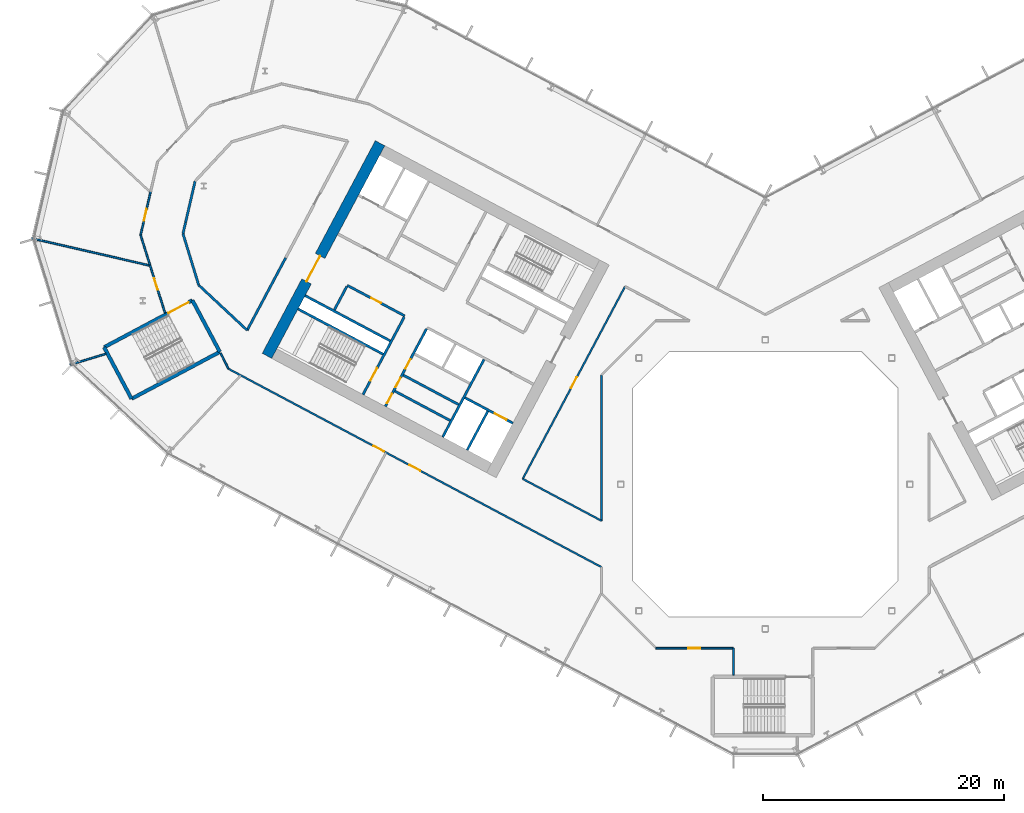
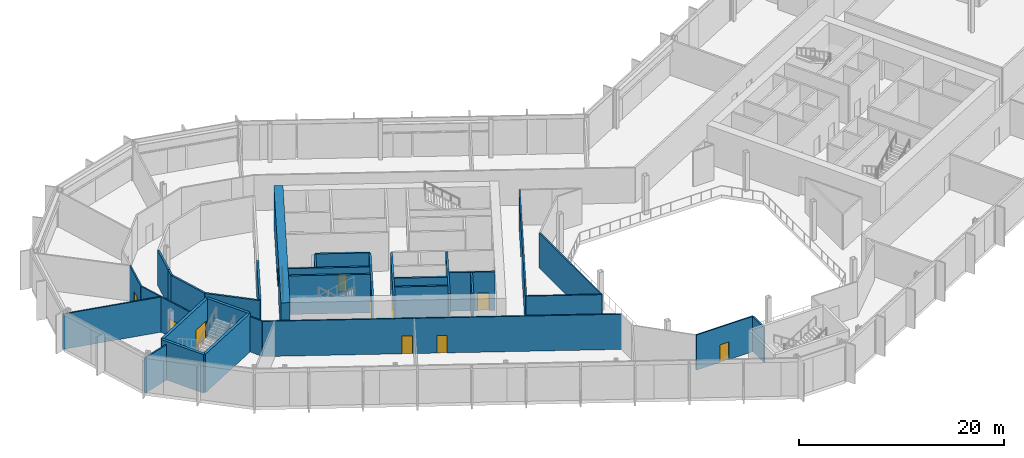
# One storey, part 14 of 30: 33 walls, 14 doors, 14 openings.
"""IFC4 building model written with IfcOpenShell, lengths in metres."""

from ifc_helpers import new_model, si_unit, direction, frame, frame_2d, origin, place, context, subcontext, project, spatial, rectangle, extrude, material, layer, layer_set, type_object, element, fill, save


model = new_model("IFC4")

# Units and contexts
model_context = context("Model", 3, precision=1e-05, world=origin(), true_north=direction((0.0, 1.0)))
body_context = subcontext(model_context, "Body", "Model", "MODEL_VIEW")
ifc_project = project(units=[si_unit("LENGTHUNIT", "METRE"), si_unit("AREAUNIT", "SQUARE_METRE"), si_unit("VOLUMEUNIT", "CUBIC_METRE"), si_unit("PLANEANGLEUNIT", "RADIAN"), si_unit("MASSUNIT", "GRAM", prefix="KILO")], contexts=[model_context])

# Site, building, storey
site_placement = place(None, origin())
site = spatial("IfcSite", under=ifc_project, at=site_placement, CompositionType="ELEMENT")
building_placement = place(site_placement, origin())
building = spatial("IfcBuilding", under=site, at=building_placement, Name="Cormorant Relay Tower", CompositionType="ELEMENT")
storey_placement = place(building_placement, frame((0.0, 0.0, 89.199951171875)))
storey = spatial("IfcBuildingStorey", under=building, at=storey_placement, Name="L17", CompositionType="ELEMENT", Elevation=89.199951171875)

# Walls
ifc_material_1 = material(Name="Concrete 40 MPa", Category="concrete")
ifc_layer_1 = layer(ifc_material_1, 0.199951171875)
ifc_layer_set_1 = layer_set([ifc_layer_1], Name="Core internal wall 200")
wall_type_1 = type_object("IfcWallType", Name="Core internal wall 200", PredefinedType="SOLIDWALL", material=ifc_layer_set_1)
for number, where, z_axis, x_axis, name in (
    (1, (-25.46728515625, 6.632568359375, 0.0), (0.0, 0.0, 1.0), (-0.882953967957, 0.469459572775, 0.0), "L17 core A shaft and room wall"),
    (2, (-26.17138671875, 5.30810546875, 0.0), (0.0, 0.0, 1.0), (-0.882953967957, 0.469459572775, 0.0), "L17 core A shaft and room wall"),
):
    element("IfcWall", number, at=place(storey_placement, frame(where, z_axis=z_axis, x_axis=x_axis)), inside=storey, type_object=wall_type_1, Name=name, PredefinedType="SOLIDWALL", context=body_context, shape_type="SweptSolid", body=[
        extrude(rectangle(XDim=5.199951171875, YDim=0.199951171875, at=frame_2d((2.60009765625, 0.0))), origin(), (0.0, 0.0, 1.0), 4.60009765625),
    ])
ifc_material_2 = material(Name="Concrete 50 MPa", Category="concrete")
ifc_layer_2 = layer(ifc_material_2, 0.199951171875)
ifc_layer_set_2 = layer_set([ifc_layer_2], Name="Core shaft wall 200")
wall_type_2 = type_object("IfcWallType", Name="Core shaft wall 200", PredefinedType="SHEAR", material=ifc_layer_set_2)
wall_1_placement = place(storey_placement, frame((-23.04296875, 6.07958984375, 0.0), z_axis=(0.0, 0.0, 1.0), x_axis=(-0.469494272526, -0.882935517501, 0.0)))
element("IfcWall", 3, at=wall_1_placement, inside=storey, type_object=wall_type_2, Name="L17 core A shaft wall", PredefinedType="SHEAR", context=body_context, shape_type="SweptSolid", body=[
    extrude(rectangle(XDim=3.64990234375, YDim=0.199951171875, at=frame_2d((1.824951171875, 0.0))), origin(), (0.0, 0.0, 1.0), 4.60009765625),
])
wall_2_placement = place(storey_placement, frame((-23.360107421875, 10.38232421875, 0.0), z_axis=(0.0, 0.0, 1.0), x_axis=(-0.469480409012, -0.88294288918, 0.0)))
element("IfcWall", 4, at=wall_2_placement, inside=storey, type_object=wall_type_2, Name="L17 core A shaft wall", PredefinedType="SHEAR", context=body_context, shape_type="SweptSolid", body=[
    extrude(rectangle(XDim=7.300048828125, YDim=0.199951171875, at=frame_2d((3.64990234375, 0.0))), origin(), (0.0, 0.0, 1.0), 4.60009765625),
])

# Wall, openings, doors
wall_3_placement = place(storey_placement, frame((-28.128173828125, 12.91748046875, 0.0), z_axis=(0.0, 0.0, 1.0), x_axis=(-0.469454336211, -0.882956752176, 0.0)))
wall_3 = element("IfcWall", 5, at=wall_3_placement, inside=storey, type_object=wall_type_2, Name="L17 core A shaft wall", PredefinedType="SHEAR", context=body_context, shape_type="SweptSolid", body=[
    extrude(rectangle(XDim=7.300048828125, YDim=0.199951171875, at=frame_2d((3.64990234375, 0.0))), origin(), (0.0, 0.0, 1.0), 4.60009765625),
])
opening_1_placement = place(wall_3_placement, frame((2.85009765625, 0.0, 0.0)))
opening_1 = element("IfcOpeningElement", 6, at=opening_1_placement, cuts=wall_3, Name="Opening CDD-129", PredefinedType="OPENING", context=body_context, shape_type="SweptSolid", body=[
    extrude(rectangle(XDim=0.89990234375, YDim=2.10009765625, at=frame_2d((0.449951171875, 1.050048828125))), frame((0.0, 0.10986328125, 0.0), z_axis=(0.0, -1.0, 0.0), x_axis=(1.0, 0.0, 0.0)), (0.0, 0.0, 1.0), 0.219970703125),
])
opening_2_placement = place(wall_3_placement, frame((4.60009765625, 0.0, 0.0)))
opening_2 = element("IfcOpeningElement", 7, at=opening_2_placement, cuts=wall_3, Name="Opening CDD-130", PredefinedType="OPENING", context=body_context, shape_type="SweptSolid", body=[
    extrude(rectangle(XDim=0.89990234375, YDim=2.10009765625, at=frame_2d((0.449951171875, 1.050048828125))), frame((0.0, 0.10986328125, 0.0), z_axis=(0.0, -1.0, 0.0), x_axis=(1.0, 0.0, 0.0)), (0.0, 0.0, 1.0), 0.219970703125),
])
opening_3_placement = place(wall_3_placement, frame((6.10009765625, 0.0, 0.0)))
opening_3 = element("IfcOpeningElement", 8, at=opening_3_placement, cuts=wall_3, Name="Opening CDD-131", PredefinedType="OPENING", context=body_context, shape_type="SweptSolid", body=[
    extrude(rectangle(XDim=0.89990234375, YDim=2.10009765625, at=frame_2d((0.449951171875, 1.050048828125))), frame((0.0, 0.10986328125, 0.0), z_axis=(0.0, -1.0, 0.0), x_axis=(1.0, 0.0, 0.0)), (0.0, 0.0, 1.0), 0.219970703125),
])
ifc_material_3 = material(Name="Steel fire door", Category="steel")
door_type_1 = type_object("IfcDoorType", Name="Core room door 900x2100", OperationType="SINGLE_SWING_LEFT", PredefinedType="DOOR", material=ifc_material_3)
door_1_placement = place(opening_1_placement, origin())
door_1 = element("IfcDoor", 9, at=door_1_placement, inside=storey, type_object=door_type_1, Name="Core room door 900x2100", OperationType="SINGLE_SWING_LEFT", OverallHeight=2.10009765625, OverallWidth=0.89990234375, PredefinedType="DOOR", context=body_context, shape_type="SweptSolid", body=[
    extrude(rectangle(XDim=0.89990234375, YDim=2.10009765625, at=frame_2d((0.449951171875, 1.050048828125))), frame((0.0, 0.02490234375, 0.0), z_axis=(0.0, -1.0, 0.0), x_axis=(1.0, 0.0, 0.0)), (0.0, 0.0, 1.0), 0.050048828125),
])
fill(opening_1, door_1)
door_2_placement = place(opening_2_placement, origin())
door_2 = element("IfcDoor", 10, at=door_2_placement, inside=storey, type_object=door_type_1, Name="Core room door 900x2100", OperationType="SINGLE_SWING_LEFT", OverallHeight=2.10009765625, OverallWidth=0.89990234375, PredefinedType="DOOR", context=body_context, shape_type="SweptSolid", body=[
    extrude(rectangle(XDim=0.89990234375, YDim=2.10009765625, at=frame_2d((0.449951171875, 1.050048828125))), frame((0.0, 0.02490234375, 0.0), z_axis=(0.0, -1.0, 0.0), x_axis=(1.0, 0.0, 0.0)), (0.0, 0.0, 1.0), 0.050048828125),
])
fill(opening_2, door_2)
door_3_placement = place(opening_3_placement, origin())
door_3 = element("IfcDoor", 11, at=door_3_placement, inside=storey, type_object=door_type_1, Name="Core room door 900x2100", OperationType="SINGLE_SWING_LEFT", OverallHeight=2.10009765625, OverallWidth=0.89990234375, PredefinedType="DOOR", context=body_context, shape_type="SweptSolid", body=[
    extrude(rectangle(XDim=0.89990234375, YDim=2.10009765625, at=frame_2d((0.449951171875, 1.050048828125))), frame((0.0, 0.02490234375, 0.0), z_axis=(0.0, -1.0, 0.0), x_axis=(1.0, 0.0, 0.0)), (0.0, 0.0, 1.0), 0.050048828125),
])
fill(opening_3, door_3)

# Wall, opening, door
wall_4_placement = place(storey_placement, frame((-29.982421875, 13.9033203125, 0.0), z_axis=(0.0, 0.0, 1.0), x_axis=(-0.469454336211, -0.882956752176, 0.0)))
wall_4 = element("IfcWall", 12, at=wall_4_placement, inside=storey, type_object=wall_type_2, Name="L17 core A shaft wall", PredefinedType="SHEAR", context=body_context, shape_type="SweptSolid", body=[
    extrude(rectangle(XDim=7.300048828125, YDim=0.199951171875, at=frame_2d((3.64990234375, 0.0))), origin(), (0.0, 0.0, 1.0), 4.60009765625),
])
opening_4_placement = place(wall_4_placement, frame((4.800048828125, 0.0, 0.0)))
opening_4 = element("IfcOpeningElement", 13, at=opening_4_placement, cuts=wall_4, Name="Opening CDB-025", PredefinedType="OPENING", context=body_context, shape_type="SweptSolid", body=[
    extrude(rectangle(XDim=1.199951171875, YDim=2.10009765625, at=frame_2d((0.60009765625, 1.050048828125))), frame((0.0, 0.10986328125, 0.0), z_axis=(0.0, -1.0, 0.0), x_axis=(1.0, 0.0, 0.0)), (0.0, 0.0, 1.0), 0.219970703125),
])
ifc_material_4 = material(Name="Steel fire door", Category="steel")
door_type_2 = type_object("IfcDoorType", Name="Core stair door 1200x2100", OperationType="SINGLE_SWING_LEFT", PredefinedType="DOOR", material=ifc_material_4)
door_4_placement = place(opening_4_placement, frame((1.199951171875, 0.0, 0.0), z_axis=(0.0, 0.0, 1.0), x_axis=(-1.0, 0.0, 0.0)))
door_4 = element("IfcDoor", 14, at=door_4_placement, inside=storey, type_object=door_type_2, Name="Core stair door 1200x2100", OperationType="SINGLE_SWING_RIGHT", OverallHeight=2.10009765625, OverallWidth=1.199951171875, PredefinedType="DOOR", context=body_context, shape_type="SweptSolid", body=[
    extrude(rectangle(XDim=1.199951171875, YDim=2.10009765625, at=frame_2d((0.60009765625, 1.050048828125))), frame((0.0, 0.02490234375, 0.0), z_axis=(0.0, -1.0, 0.0), x_axis=(1.0, 0.0, 0.0)), (0.0, 0.0, 1.0), 0.050048828125),
])
fill(opening_4, door_4)

# Wall
wall_5_placement = place(storey_placement, frame((-34.750244140625, 16.4384765625, 0.0), z_axis=(0.0, 0.0, 1.0), x_axis=(-0.469401318492, -0.882984938828, 0.0)))
element("IfcWall", 15, at=wall_5_placement, inside=storey, type_object=wall_type_2, Name="L17 core A shaft wall", PredefinedType="SHEAR", context=body_context, shape_type="SweptSolid", body=[
    extrude(rectangle(XDim=2.199951171875, YDim=0.199951171875, at=frame_2d((1.10009765625, 0.0))), origin(), (0.0, 0.0, 1.0), 4.60009765625),
])

# Wall, opening, door
wall_6_placement = place(storey_placement, frame((-29.935302734375, 13.991455078125, 0.0), z_axis=(0.0, 0.0, 1.0), x_axis=(-0.882952937579, 0.469461510692, 0.0)))
wall_6 = element("IfcWall", 16, at=wall_6_placement, inside=storey, type_object=wall_type_2, Name="L17 core A shaft wall", PredefinedType="SHEAR", context=body_context, shape_type="SweptSolid", body=[
    extrude(rectangle(XDim=5.400146484375, YDim=0.199951171875, at=frame_2d((2.7001953125, 0.0))), origin(), (0.0, 0.0, 1.0), 4.60009765625),
])
opening_5_placement = place(wall_6_placement, frame((2.25, 0.0, 0.0)))
opening_5 = element("IfcOpeningElement", 17, at=opening_5_placement, cuts=wall_6, Name="Opening CDD-126", PredefinedType="OPENING", context=body_context, shape_type="SweptSolid", body=[
    extrude(rectangle(XDim=0.89990234375, YDim=2.10009765625, at=frame_2d((0.449951171875, 1.050048828125))), frame((0.0, 0.10986328125, 0.0), z_axis=(0.0, -1.0, 0.0), x_axis=(1.0, 0.0, 0.0)), (0.0, 0.0, 1.0), 0.219970703125),
])
door_5_placement = place(opening_5_placement, origin())
door_5 = element("IfcDoor", 18, at=door_5_placement, inside=storey, type_object=door_type_1, Name="Core room door 900x2100", OperationType="SINGLE_SWING_LEFT", OverallHeight=2.10009765625, OverallWidth=0.89990234375, PredefinedType="DOOR", context=body_context, shape_type="SweptSolid", body=[
    extrude(rectangle(XDim=0.89990234375, YDim=2.10009765625, at=frame_2d((0.449951171875, 1.050048828125))), frame((0.0, 0.02490234375, 0.0), z_axis=(0.0, -1.0, 0.0), x_axis=(1.0, 0.0, 0.0)), (0.0, 0.0, 1.0), 0.050048828125),
])
fill(opening_5, door_5)

# Wall
wall_7_placement = place(storey_placement, frame((-31.150390625, 11.91943359375, 0.0), z_axis=(0.0, 0.0, 1.0), x_axis=(-0.882940221191, 0.469485426614, 0.0)))
element("IfcWall", 19, at=wall_7_placement, inside=storey, type_object=wall_type_2, Name="L17 core A shaft wall", PredefinedType="SHEAR", context=body_context, shape_type="SweptSolid", body=[
    extrude(rectangle(XDim=8.0, YDim=0.199951171875, at=frame_2d((4.0, 0.0))), origin(), (0.0, 0.0, 1.0), 4.60009765625),
])

# Wall, opening, door
wall_8_placement = place(storey_placement, frame((-20.96533203125, 5.088134765625, 0.0), z_axis=(0.0, 0.0, 1.0), x_axis=(-0.882925986334, 0.469512196493, 0.0)))
wall_8 = element("IfcWall", 20, at=wall_8_placement, inside=storey, type_object=wall_type_2, Name="L17 core A shaft wall", PredefinedType="SHEAR", context=body_context, shape_type="SweptSolid", body=[
    extrude(rectangle(XDim=4.5, YDim=0.199951171875, at=frame_2d((2.25, 0.0))), origin(), (0.0, 0.0, 1.0), 4.60009765625),
])
opening_6_placement = place(wall_8_placement, frame((0.60009765625, 0.0, 0.0)))
opening_6 = element("IfcOpeningElement", 21, at=opening_6_placement, cuts=wall_8, Name="Opening LD1-027", PredefinedType="OPENING", context=body_context, shape_type="SweptSolid", body=[
    extrude(rectangle(XDim=1.10009765625, YDim=2.10009765625, at=frame_2d((0.550048828125, 1.050048828125))), frame((0.0, 0.10986328125, 0.0), z_axis=(0.0, -1.0, 0.0), x_axis=(1.0, 0.0, 0.0)), (0.0, 0.0, 1.0), 0.219970703125),
])
ifc_material_5 = material(Name="Stainless steel 316", Category="steel")
door_type_3 = type_object("IfcDoorType", Name="Lift landing door 1100x2100", OperationType="DOUBLE_DOOR_SLIDING", PredefinedType="DOOR", material=ifc_material_5)
door_6_placement = place(opening_6_placement, origin())
door_6 = element("IfcDoor", 22, at=door_6_placement, inside=storey, type_object=door_type_3, Name="FF1 landing door", OperationType="DOUBLE_DOOR_SLIDING", OverallHeight=2.10009765625, OverallWidth=1.10009765625, PredefinedType="DOOR", context=body_context, shape_type="SweptSolid", body=[
    extrude(rectangle(XDim=1.10009765625, YDim=2.10009765625, at=frame_2d((0.550048828125, 1.050048828125))), frame((0.0, 0.02490234375, 0.0), z_axis=(0.0, -1.0, 0.0), x_axis=(1.0, 0.0, 0.0)), (0.0, 0.0, 1.0), 0.050048828125),
])
fill(opening_6, door_6)

# Wall
wall_9_placement = place(storey_placement, frame((-31.7373046875, 10.815673828125, 0.0), z_axis=(0.0, 0.0, 1.0), x_axis=(-0.882940221191, 0.469485426614, 0.0)))
element("IfcWall", 23, at=wall_9_placement, inside=storey, type_object=wall_type_2, Name="L17 core A shaft wall", PredefinedType="SHEAR", context=body_context, shape_type="SweptSolid", body=[
    extrude(rectangle(XDim=8.0, YDim=0.199951171875, at=frame_2d((4.0, 0.0))), origin(), (0.0, 0.0, 1.0), 4.60009765625),
])

# Wall, opening, door
ifc_material_6 = material(Name="Concrete 70 MPa", Category="concrete")
ifc_layer_3 = layer(ifc_material_6, 0.89990234375)
ifc_layer_set_3 = layer_set([ifc_layer_3], Name="Core wall 900")
wall_type_3 = type_object("IfcWallType", Name="Core wall 900", PredefinedType="SHEAR", material=ifc_layer_set_3)
wall_10_placement = place(storey_placement, frame((-31.99169921875, 28.3359375, 0.0), z_axis=(0.0, 0.0, 1.0), x_axis=(-0.46947084998, -0.882947971864, 0.0)))
wall_10 = element("IfcWall", 24, at=wall_10_placement, inside=storey, type_object=wall_type_3, Name="L17 core A wall", PredefinedType="SHEAR", context=body_context, shape_type="SweptSolid", body=[
    extrude(rectangle(XDim=20.0, YDim=0.89990234375, at=frame_2d((10.0, 0.0))), origin(), (0.0, 0.0, 1.0), 4.60009765625),
])
opening_7_placement = place(wall_10_placement, frame((10.60009765625, 0.0, 0.0)))
opening_7 = element("IfcOpeningElement", 25, at=opening_7_placement, cuts=wall_10, Name="Opening CDA-018", PredefinedType="OPENING", context=body_context, shape_type="SweptSolid", body=[
    extrude(rectangle(XDim=2.39990234375, YDim=2.39990234375, at=frame_2d((1.199951171875, 1.199951171875))), frame((0.0, 0.4599609375, 0.0), z_axis=(0.0, -1.0, 0.0), x_axis=(1.0, 0.0, 0.0)), (0.0, 0.0, 1.0), 0.919921875),
])
ifc_material_7 = material(Name="Steel fire door", Category="steel")
door_type_4 = type_object("IfcDoorType", Name="Core lobby door 2400x2400", OperationType="DOUBLE_DOOR_SINGLE_SWING", PredefinedType="DOOR", material=ifc_material_7)
door_7_placement = place(opening_7_placement, origin())
door_7 = element("IfcDoor", 26, at=door_7_placement, inside=storey, type_object=door_type_4, Name="Core lobby door 2400x2400", OperationType="DOUBLE_DOOR_SINGLE_SWING", OverallHeight=2.39990234375, OverallWidth=2.39990234375, PredefinedType="DOOR", context=body_context, shape_type="SweptSolid", body=[
    extrude(rectangle(XDim=2.39990234375, YDim=2.39990234375, at=frame_2d((1.199951171875, 1.199951171875))), frame((0.0, 0.02490234375, 0.0), z_axis=(0.0, -1.0, 0.0), x_axis=(1.0, 0.0, 0.0)), (0.0, 0.0, 1.0), 0.050048828125),
])
fill(opening_7, door_7)

# Walls
ifc_material_8 = material(Name="Fire-rated gypsum board partition")
ifc_layer_4 = layer(ifc_material_8, 0.199951171875)
ifc_layer_set_4 = layer_set([ifc_layer_4], Name="Fire-rated gypsum partition 200")
wall_type_4 = type_object("IfcWallType", Name="Fire-rated gypsum partition 200", PredefinedType="PARTITIONING", material=ifc_layer_set_4)
wall_11_placement = place(storey_placement, frame((-48.137939453125, 21.76806640625, 0.0), z_axis=(0.0, 0.0, 1.0), x_axis=(0.224910471472, 0.974379433189, 0.0)))
element("IfcWall", 27, at=wall_11_placement, inside=storey, type_object=wall_type_4, Name="wall/L17/part/12", PredefinedType="PARTITIONING", context=body_context, shape_type="SweptSolid", body=[
    extrude(rectangle(XDim=3.49853515625, YDim=0.199951171875, at=frame_2d((1.749267578125, 0.0))), origin(), (0.0, 0.0, 1.0), 4.199951171875),
])
wall_12_placement = place(storey_placement, frame((-43.02587890625, 12.802001953125, 0.0), z_axis=(0.0, 0.0, 1.0), x_axis=(-0.731412266015, 0.68193555203, 0.0)))
element("IfcWall", 28, at=wall_12_placement, inside=storey, type_object=wall_type_4, Name="wall/L17/part/14", PredefinedType="PARTITIONING", context=body_context, shape_type="SweptSolid", body=[
    extrude(rectangle(XDim=5.501953125, YDim=0.199951171875, at=frame_2d((2.7509765625, 0.0))), origin(), (0.0, 0.0, 1.0), 4.199951171875),
])
wall_13_placement = place(storey_placement, frame((-47.050048828125, 16.553955078125, 0.0), z_axis=(0.0, 0.0, 1.0), x_axis=(-0.292399072869, 0.956296388253, 0.0)))
element("IfcWall", 29, at=wall_13_placement, inside=storey, type_object=wall_type_4, Name="wall/L17/part/15", PredefinedType="PARTITIONING", context=body_context, shape_type="SweptSolid", body=[
    extrude(rectangle(XDim=4.466064453125, YDim=0.199951171875, at=frame_2d((2.23291015625, 0.0))), origin(), (0.0, 0.0, 1.0), 4.199951171875),
])
wall_14_placement = place(storey_placement, frame((-48.35595703125, 20.824951171875, 0.0), z_axis=(0.0, 0.0, 1.0), x_axis=(0.225227894395, 0.974306109796, 0.0)))
element("IfcWall", 30, at=wall_14_placement, inside=storey, type_object=wall_type_4, Name="wall/L17/part/16", PredefinedType="PARTITIONING", context=body_context, shape_type="SweptSolid", body=[
    extrude(rectangle(XDim=0.968017578125, YDim=0.199951171875, at=frame_2d((0.48388671875, 0.0))), origin(), (0.0, 0.0, 1.0), 4.199951171875),
])
wall_15_placement = place(storey_placement, frame((-39.825927734375, 18.820068359375, 0.0), z_axis=(0.0, 0.0, 1.0), x_axis=(-0.469481685648, -0.882942210363, 0.0)))
element("IfcWall", 31, at=wall_15_placement, inside=storey, type_object=wall_type_4, Name="wall/L17/part/27", PredefinedType="PARTITIONING", context=body_context, shape_type="SweptSolid", body=[
    extrude(rectangle(XDim=6.81591796875, YDim=0.199951171875, at=frame_2d((3.407958984375, 0.0))), origin(), (0.0, 0.0, 1.0), 4.199951171875),
])
ifc_material_9 = material(Name="Gypsum board partition")
ifc_layer_5 = layer(ifc_material_9, 0.14990234375)
ifc_layer_set_5 = layer_set([ifc_layer_5], Name="Gypsum board partition 150")
wall_type_5 = type_object("IfcWallType", Name="Gypsum board partition 150", PredefinedType="PARTITIONING", material=ifc_layer_set_5)
wall_16_placement = place(storey_placement, frame((-51.080078125, 18.16796875, 0.0), z_axis=(0.0, 0.0, 1.0), x_axis=(-0.974375306075, 0.224928350615, 0.0)))
element("IfcWall", 32, at=wall_16_placement, inside=storey, type_object=wall_type_5, Name="wall/L17/part/1", PredefinedType="PARTITIONING", context=body_context, shape_type="SweptSolid", body=[
    extrude(rectangle(XDim=10.100830078125, YDim=0.14990234375, at=frame_2d((5.05029296875, 0.0))), origin(), (0.0, 0.0, 1.0), 4.199951171875),
])
wall_17_placement = place(storey_placement, frame((-54.7607421875, 10.847900390625, 0.0), z_axis=(0.0, 0.0, 1.0), x_axis=(-0.956301064033, -0.29238378021, 0.0)))
element("IfcWall", 33, at=wall_17_placement, inside=storey, type_object=wall_type_5, Name="wall/L17/part/3", PredefinedType="PARTITIONING", context=body_context, shape_type="SweptSolid", body=[
    extrude(rectangle(XDim=3.115478515625, YDim=0.14990234375, at=frame_2d((1.5576171875, 0.0))), origin(), (0.0, 0.0, 1.0), 4.199951171875),
])

# Wall, opening, door
wall_18_placement = place(storey_placement, frame((-51.041015625, 24.31103515625, 0.0), z_axis=(0.0, 0.0, 1.0), x_axis=(-0.224893203367, -0.974383418927, 0.0)))
wall_18 = element("IfcWall", 34, at=wall_18_placement, inside=storey, type_object=wall_type_5, Name="wall/L17/part/4", PredefinedType="PARTITIONING", context=body_context, shape_type="SweptSolid", body=[
    extrude(rectangle(XDim=3.7041015625, YDim=0.14990234375, at=frame_2d((1.85205078125, 0.0))), origin(), (0.0, 0.0, 1.0), 4.199951171875),
])
opening_8_placement = place(wall_18_placement, frame((1.48193359375, 0.0, 0.0)))
opening_8 = element("IfcOpeningElement", 35, at=opening_8_placement, cuts=wall_18, Name="Opening D1-037", PredefinedType="OPENING", context=body_context, shape_type="SweptSolid", body=[
    extrude(rectangle(XDim=1.0, YDim=2.10009765625, at=frame_2d((0.5, 1.050048828125))), frame((0.0, 0.0849609375, 0.0), z_axis=(0.0, -1.0, 0.0), x_axis=(1.0, 0.0, 0.0)), (0.0, 0.0, 1.0), 0.169921875),
])
ifc_material_10 = material(Name="Painted steel door", Category="steel")
door_type_5 = type_object("IfcDoorType", Name="Single door 1000 x 2100", OperationType="SINGLE_SWING_LEFT", PredefinedType="DOOR", material=ifc_material_10)
door_8_placement = place(opening_8_placement, frame((1.0, 0.0, 0.0), z_axis=(0.0, 0.0, 1.0), x_axis=(-1.0, 0.0, 0.0)))
door_8 = element("IfcDoor", 36, at=door_8_placement, inside=storey, type_object=door_type_5, Name="door/L17/16", OperationType="SINGLE_SWING_RIGHT", OverallHeight=2.10009765625, OverallWidth=1.0, PredefinedType="DOOR", context=body_context, shape_type="SweptSolid", body=[
    extrude(rectangle(XDim=1.0, YDim=2.10009765625, at=frame_2d((0.5, 1.050048828125))), frame((0.0, 0.02490234375, 0.0), z_axis=(0.0, -1.0, 0.0), x_axis=(1.0, 0.0, 0.0)), (0.0, 0.0, 1.0), 0.050048828125),
])
fill(opening_8, door_8)

# Wall
wall_19_placement = place(storey_placement, frame((-51.8740234375, 20.701904296875, 0.0), z_axis=(0.0, 0.0, 1.0), x_axis=(0.299019355328, -0.954247046178, 0.0)))
element("IfcWall", 37, at=wall_19_placement, inside=storey, type_object=wall_type_5, Name="wall/L17/part/5", PredefinedType="PARTITIONING", context=body_context, shape_type="SweptSolid", body=[
    extrude(rectangle(XDim=2.595458984375, YDim=0.14990234375, at=frame_2d((1.2978515625, 0.0))), origin(), (0.0, 0.0, 1.0), 4.199951171875),
])

# Wall, opening, door
wall_20_placement = place(storey_placement, frame((-49.847412109375, 14.233642578125, 0.0), z_axis=(0.0, 0.0, 1.0), x_axis=(-0.29896287329, 0.954264743346, 0.0)))
wall_20 = element("IfcWall", 38, at=wall_20_placement, inside=storey, type_object=wall_type_5, Name="wall/L17/part/6", PredefinedType="PARTITIONING", context=body_context, shape_type="SweptSolid", body=[
    extrude(rectangle(XDim=4.182861328125, YDim=0.14990234375, at=frame_2d((2.09130859375, 0.0))), origin(), (0.0, 0.0, 1.0), 4.199951171875),
])
opening_9_placement = place(wall_20_placement, frame((2.014892578125, 0.0, 0.0)))
opening_9 = element("IfcOpeningElement", 39, at=opening_9_placement, cuts=wall_20, Name="Opening D1-038", PredefinedType="OPENING", context=body_context, shape_type="SweptSolid", body=[
    extrude(rectangle(XDim=1.0, YDim=2.10009765625, at=frame_2d((0.5, 1.050048828125))), frame((0.0, 0.0849609375, 0.0), z_axis=(0.0, -1.0, 0.0), x_axis=(1.0, 0.0, 0.0)), (0.0, 0.0, 1.0), 0.169921875),
])
door_9_placement = place(opening_9_placement, origin())
door_9 = element("IfcDoor", 40, at=door_9_placement, inside=storey, type_object=door_type_5, Name="door/L17/17", OperationType="SINGLE_SWING_RIGHT", OverallHeight=2.10009765625, OverallWidth=1.0, PredefinedType="DOOR", context=body_context, shape_type="SweptSolid", body=[
    extrude(rectangle(XDim=1.0, YDim=2.10009765625, at=frame_2d((0.5, 1.050048828125))), frame((0.0, 0.02490234375, 0.0), z_axis=(0.0, -1.0, 0.0), x_axis=(1.0, 0.0, 0.0)), (0.0, 0.0, 1.0), 0.050048828125),
])
fill(opening_9, door_9)

# Wall
wall_21_placement = place(storey_placement, frame((-2.64892578125, -15.840087890625, 0.0), z_axis=(0.0, 0.0, 1.0), x_axis=(0.0, 1.0, 0.0)))
element("IfcWall", 41, at=wall_21_placement, inside=storey, type_object=wall_type_5, Name="wall/L17/part/21", PredefinedType="PARTITIONING", context=body_context, shape_type="SweptSolid", body=[
    extrude(rectangle(XDim=2.239990234375, YDim=0.14990234375, at=frame_2d((1.1201171875, 0.0))), origin(), (0.0, 0.0, 1.0), 4.199951171875),
])

# Wall, opening, door
wall_22_placement = place(storey_placement, frame((-2.64892578125, -13.60009765625, 0.0), z_axis=(0.0, 0.0, 1.0), x_axis=(-1.0, 0.0, 0.0)))
wall_22 = element("IfcWall", 42, at=wall_22_placement, inside=storey, type_object=wall_type_5, Name="wall/L17/part/22", PredefinedType="PARTITIONING", context=body_context, shape_type="SweptSolid", body=[
    extrude(rectangle(XDim=6.427978515625, YDim=0.14990234375, at=frame_2d((3.2138671875, 0.0))), origin(), (0.0, 0.0, 1.0), 4.199951171875),
])
opening_10_placement = place(wall_22_placement, frame((2.75, 0.0, 0.0)))
opening_10 = element("IfcOpeningElement", 43, at=opening_10_placement, cuts=wall_22, Name="Opening D1-042", PredefinedType="OPENING", context=body_context, shape_type="SweptSolid", body=[
    extrude(rectangle(XDim=1.0, YDim=2.10009765625, at=frame_2d((0.5, 1.050048828125))), frame((0.0, 0.0849609375, 0.0), z_axis=(0.0, -1.0, 0.0), x_axis=(1.0, 0.0, 0.0)), (0.0, 0.0, 1.0), 0.169921875),
])
door_10_placement = place(opening_10_placement, origin())
door_10 = element("IfcDoor", 44, at=door_10_placement, inside=storey, type_object=door_type_5, Name="door/L17/20", OperationType="SINGLE_SWING_LEFT", OverallHeight=2.10009765625, OverallWidth=1.0, PredefinedType="DOOR", context=body_context, shape_type="SweptSolid", body=[
    extrude(rectangle(XDim=1.0, YDim=2.10009765625, at=frame_2d((0.5, 1.050048828125))), frame((0.0, 0.02490234375, 0.0), z_axis=(0.0, -1.0, 0.0), x_axis=(1.0, 0.0, 0.0)), (0.0, 0.0, 1.0), 0.050048828125),
])
fill(opening_10, door_10)

# Wall, openings, doors
wall_23_placement = place(storey_placement, frame((-13.60009765625, -6.868896484375, 0.0), z_axis=(0.0, 0.0, 1.0), x_axis=(-0.88295406426, 0.469459391648, 0.0)))
wall_23 = element("IfcWall", 45, at=wall_23_placement, inside=storey, type_object=wall_type_5, Name="wall/L17/part/25", PredefinedType="PARTITIONING", context=body_context, shape_type="SweptSolid", body=[
    extrude(rectangle(XDim=35.091064453125, YDim=0.14990234375, at=frame_2d((17.54541015625, 0.0))), origin(), (0.0, 0.0, 1.0), 4.199951171875),
])
opening_11_placement = place(wall_23_placement, frame((20.449951171875, 0.0, 0.0)))
opening_11 = element("IfcOpeningElement", 46, at=opening_11_placement, cuts=wall_23, Name="Opening D1-039", PredefinedType="OPENING", context=body_context, shape_type="SweptSolid", body=[
    extrude(rectangle(XDim=1.0, YDim=2.10009765625, at=frame_2d((0.5, 1.050048828125))), frame((0.0, 0.0849609375, 0.0), z_axis=(0.0, -1.0, 0.0), x_axis=(1.0, 0.0, 0.0)), (0.0, 0.0, 1.0), 0.169921875),
])
opening_12_placement = place(wall_23_placement, frame((17.050048828125, 0.0, 0.0)))
opening_12 = element("IfcOpeningElement", 47, at=opening_12_placement, cuts=wall_23, Name="Opening D1-040", PredefinedType="OPENING", context=body_context, shape_type="SweptSolid", body=[
    extrude(rectangle(XDim=1.0, YDim=2.10009765625, at=frame_2d((0.5, 1.050048828125))), frame((0.0, 0.0849609375, 0.0), z_axis=(0.0, -1.0, 0.0), x_axis=(1.0, 0.0, 0.0)), (0.0, 0.0, 1.0), 0.169921875),
])
door_11_placement = place(opening_11_placement, origin())
door_11 = element("IfcDoor", 48, at=door_11_placement, inside=storey, type_object=door_type_5, Name="door/L17/18", OperationType="SINGLE_SWING_LEFT", OverallHeight=2.10009765625, OverallWidth=1.0, PredefinedType="DOOR", context=body_context, shape_type="SweptSolid", body=[
    extrude(rectangle(XDim=1.0, YDim=2.10009765625, at=frame_2d((0.5, 1.050048828125))), frame((0.0, 0.02490234375, 0.0), z_axis=(0.0, -1.0, 0.0), x_axis=(1.0, 0.0, 0.0)), (0.0, 0.0, 1.0), 0.050048828125),
])
fill(opening_11, door_11)
door_12_placement = place(opening_12_placement, origin())
door_12 = element("IfcDoor", 49, at=door_12_placement, inside=storey, type_object=door_type_5, Name="door/L17/19", OperationType="SINGLE_SWING_LEFT", OverallHeight=2.10009765625, OverallWidth=1.0, PredefinedType="DOOR", context=body_context, shape_type="SweptSolid", body=[
    extrude(rectangle(XDim=1.0, YDim=2.10009765625, at=frame_2d((0.5, 1.050048828125))), frame((0.0, 0.02490234375, 0.0), z_axis=(0.0, -1.0, 0.0), x_axis=(1.0, 0.0, 0.0)), (0.0, 0.0, 1.0), 0.050048828125),
])
fill(opening_12, door_12)

# Wall
wall_24_placement = place(storey_placement, frame((-44.583984375, 9.60498046875, 0.0), z_axis=(0.0, 0.0, 1.0), x_axis=(-0.445453249083, 0.895305200968, 0.0)))
element("IfcWall", 50, at=wall_24_placement, inside=storey, type_object=wall_type_5, Name="wall/L17/part/26", PredefinedType="PARTITIONING", context=body_context, shape_type="SweptSolid", body=[
    extrude(rectangle(XDim=1.443115234375, YDim=0.14990234375, at=frame_2d((0.7216796875, 0.0))), origin(), (0.0, 0.0, 1.0), 4.199951171875),
])

# Wall, opening, door
wall_25_placement = place(storey_placement, frame((-20.14208984375, 0.4599609375, 0.0), z_axis=(0.0, 0.0, 1.0), x_axis=(0.469506937019, 0.882928783136, 0.0)))
wall_25 = element("IfcWall", 51, at=wall_25_placement, inside=storey, type_object=wall_type_5, Name="wall/L17/part/40", PredefinedType="PARTITIONING", context=body_context, shape_type="SweptSolid", body=[
    extrude(rectangle(XDim=18.099853515625, YDim=0.14990234375, at=frame_2d((9.0498046875, 0.0))), origin(), (0.0, 0.0, 1.0), 4.199951171875),
])
opening_13_placement = place(wall_25_placement, frame((8.550048828125, 0.0, 0.0)))
opening_13 = element("IfcOpeningElement", 52, at=opening_13_placement, cuts=wall_25, Name="Opening D1-041", PredefinedType="OPENING", context=body_context, shape_type="SweptSolid", body=[
    extrude(rectangle(XDim=1.0, YDim=2.10009765625, at=frame_2d((0.5, 1.050048828125))), frame((0.0, 0.0849609375, 0.0), z_axis=(0.0, -1.0, 0.0), x_axis=(1.0, 0.0, 0.0)), (0.0, 0.0, 1.0), 0.169921875),
])
door_13_placement = place(opening_13_placement, frame((1.0, 0.0, 0.0), z_axis=(0.0, 0.0, 1.0), x_axis=(-1.0, 0.0, 0.0)))
door_13 = element("IfcDoor", 53, at=door_13_placement, inside=storey, type_object=door_type_5, Name="door/L17/2", OperationType="SINGLE_SWING_LEFT", OverallHeight=2.10009765625, OverallWidth=1.0, PredefinedType="DOOR", context=body_context, shape_type="SweptSolid", body=[
    extrude(rectangle(XDim=1.0, YDim=2.10009765625, at=frame_2d((0.5, 1.050048828125))), frame((0.0, 0.02490234375, 0.0), z_axis=(0.0, -1.0, 0.0), x_axis=(1.0, 0.0, 0.0)), (0.0, 0.0, 1.0), 0.050048828125),
])
fill(opening_13, door_13)

# Walls
wall_26_placement = place(storey_placement, frame((-13.60009765625, -3.01904296875, 0.0), z_axis=(0.0, 0.0, 1.0), x_axis=(-0.882915984826, 0.469531004022, 0.0)))
element("IfcWall", 54, at=wall_26_placement, inside=storey, type_object=wall_type_5, Name="wall/L17/part/42", PredefinedType="PARTITIONING", context=body_context, shape_type="SweptSolid", body=[
    extrude(rectangle(XDim=7.409423828125, YDim=0.14990234375, at=frame_2d((3.70458984375, 0.0))), origin(), (0.0, 0.0, 1.0), 4.199951171875),
])
wall_27_placement = place(storey_placement, frame((-13.60009765625, 9.076904296875, 0.0), z_axis=(0.0, 0.0, 1.0), x_axis=(0.0, -1.0, 0.0)))
element("IfcWall", 55, at=wall_27_placement, inside=storey, type_object=wall_type_5, Name="wall/L17/part/43", PredefinedType="PARTITIONING", context=body_context, shape_type="SweptSolid", body=[
    extrude(rectangle(XDim=12.095947265625, YDim=0.14990234375, at=frame_2d((6.0478515625, 0.0))), origin(), (0.0, 0.0, 1.0), 4.199951171875),
])
ifc_material_11 = material(Name="Concrete 50 MPa", Category="concrete")
ifc_layer_6 = layer(ifc_material_11, 0.300048828125)
ifc_layer_set_6 = layer_set([ifc_layer_6], Name="Remote stair wall 300")
wall_type_6 = type_object("IfcWallType", Name="Remote stair wall 300", PredefinedType="SHEAR", material=ifc_layer_set_6)
wall_28_placement = place(storey_placement, frame((-47.57421875, 15.28955078125, 0.0), z_axis=(0.0, 0.0, 1.0), x_axis=(0.469443498566, -0.882962514297, 0.0)))
element("IfcWall", 56, at=wall_28_placement, inside=storey, type_object=wall_type_6, Name="L17 exit stair RP1 wall", PredefinedType="SHEAR", context=body_context, shape_type="SweptSolid", body=[
    extrude(rectangle(XDim=4.85009765625, YDim=0.300048828125, at=frame_2d((2.425048828125, 0.0))), origin(), (0.0, 0.0, 1.0), 4.60009765625),
])
wall_29_placement = place(storey_placement, frame((-45.29736328125, 11.007080078125, 0.0), z_axis=(0.0, 0.0, 1.0), x_axis=(-0.882951519127, -0.469464178475, 0.0)))
element("IfcWall", 57, at=wall_29_placement, inside=storey, type_object=wall_type_6, Name="L17 exit stair RP1 wall", PredefinedType="SHEAR", context=body_context, shape_type="SweptSolid", body=[
    extrude(rectangle(XDim=8.2998046875, YDim=0.300048828125, at=frame_2d((4.14990234375, 0.0))), origin(), (0.0, 0.0, 1.0), 4.60009765625),
])
wall_30_placement = place(storey_placement, frame((-52.625732421875, 7.110595703125, 0.0), z_axis=(0.0, 0.0, 1.0), x_axis=(-0.469464364128, 0.882951420416, 0.0)))
element("IfcWall", 58, at=wall_30_placement, inside=storey, type_object=wall_type_6, Name="L17 exit stair RP1 wall", PredefinedType="SHEAR", context=body_context, shape_type="SweptSolid", body=[
    extrude(rectangle(XDim=4.849853515625, YDim=0.300048828125, at=frame_2d((2.4248046875, 0.0))), origin(), (0.0, 0.0, 1.0), 4.60009765625),
])

# Wall, opening, door
wall_31_placement = place(storey_placement, frame((-54.902587890625, 11.392822265625, 0.0), z_axis=(0.0, 0.0, 1.0), x_axis=(0.882939326045, 0.469487110071, 0.0)))
wall_31 = element("IfcWall", 59, at=wall_31_placement, inside=storey, type_object=wall_type_6, Name="L17 exit stair RP1 wall", PredefinedType="SHEAR", context=body_context, shape_type="SweptSolid", body=[
    extrude(rectangle(XDim=8.300048828125, YDim=0.300048828125, at=frame_2d((4.14990234375, 0.0))), origin(), (0.0, 0.0, 1.0), 4.60009765625),
])
opening_14_placement = place(wall_31_placement, frame((6.050048828125, 0.0, 0.0)))
opening_14 = element("IfcOpeningElement", 60, at=opening_14_placement, cuts=wall_31, Name="Opening CDE-009", PredefinedType="OPENING", context=body_context, shape_type="SweptSolid", body=[
    extrude(rectangle(XDim=1.89990234375, YDim=2.10009765625, at=frame_2d((0.949951171875, 1.050048828125))), frame((0.0, 0.159912109375, 0.0), z_axis=(0.0, -1.0, 0.0), x_axis=(1.0, 0.0, 0.0)), (0.0, 0.0, 1.0), 0.320068359375),
])
ifc_material_12 = material(Name="Steel fire door", Category="steel")
door_type_6 = type_object("IfcDoorType", Name="Remote stair door 1900x2100", OperationType="DOUBLE_DOOR_SINGLE_SWING", PredefinedType="DOOR", material=ifc_material_12)
door_14_placement = place(opening_14_placement, frame((1.89990234375, 0.0, 0.0), z_axis=(0.0, 0.0, 1.0), x_axis=(-1.0, 0.0, 0.0)))
door_14 = element("IfcDoor", 61, at=door_14_placement, inside=storey, type_object=door_type_6, Name="Exit stair RP1 door", OperationType="DOUBLE_DOOR_SINGLE_SWING", OverallHeight=2.10009765625, OverallWidth=1.89990234375, PredefinedType="DOOR", context=body_context, shape_type="SweptSolid", body=[
    extrude(rectangle(XDim=1.89990234375, YDim=2.10009765625, at=frame_2d((0.949951171875, 1.050048828125))), frame((0.0, 0.02490234375, 0.0), z_axis=(0.0, -1.0, 0.0), x_axis=(1.0, 0.0, 0.0)), (0.0, 0.0, 1.0), 0.050048828125),
])
fill(opening_14, door_14)

save(model, "model.ifc")
